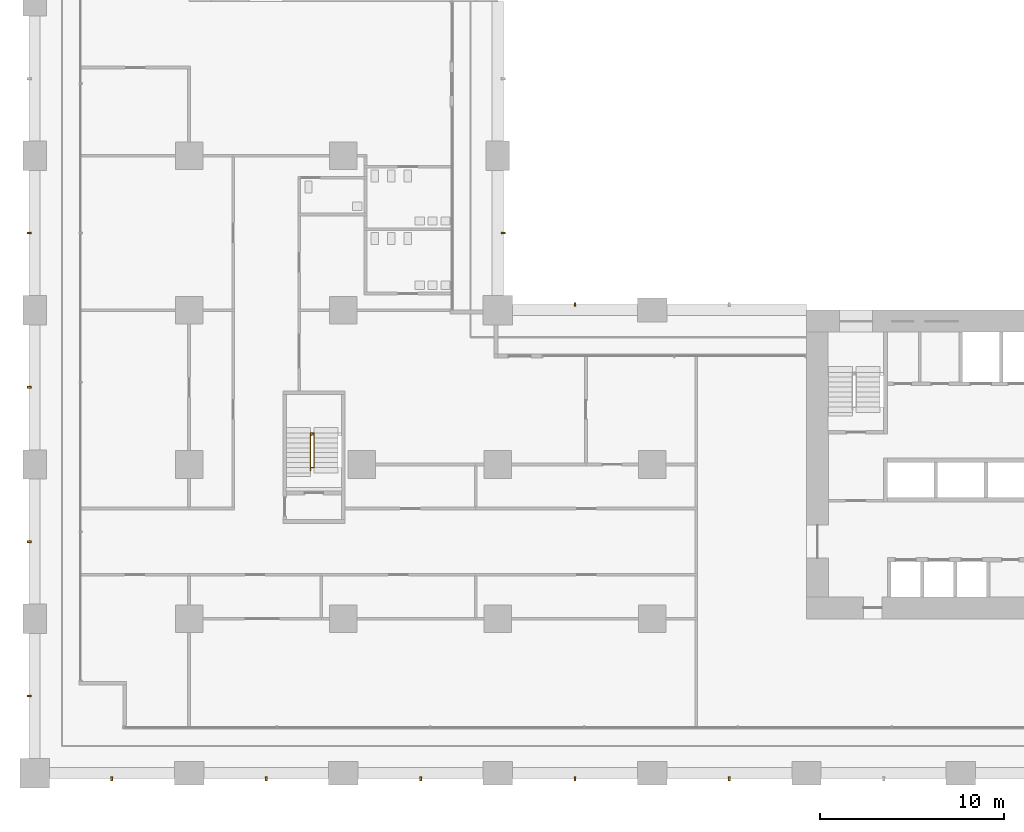
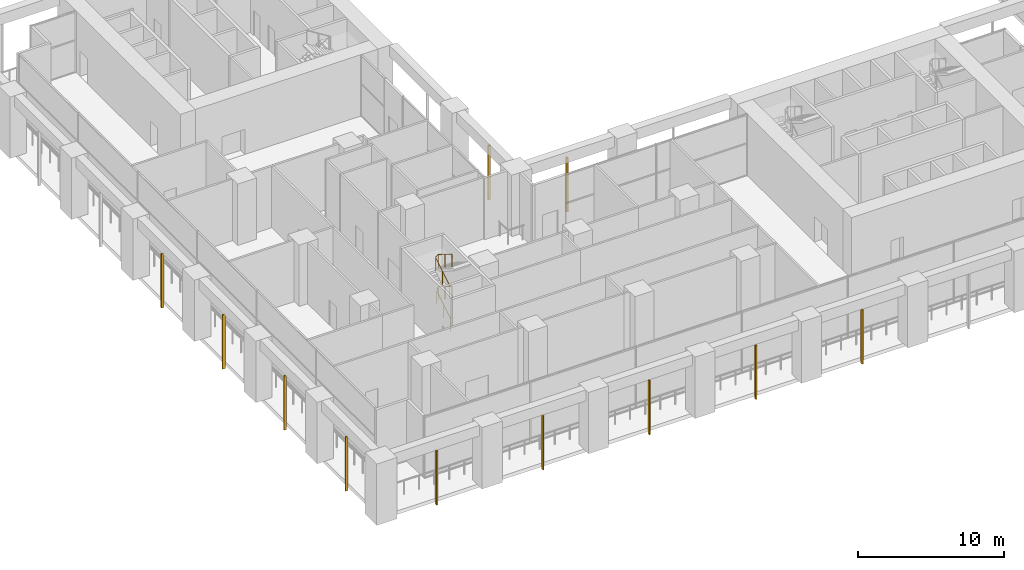
# One storey, part 24 of 32: 11 shading devices, 1 railing.
"""IFC4 building model written with IfcOpenShell, lengths in metres."""

from ifc_helpers import new_model, si_unit, direction, frame, origin, origin_2d, place, context, subcontext, project, spatial, rectangle, circle, extrude, material, material_profile, profile_set, type_object, element, save


model = new_model("IFC4")

# Units and contexts
model_context = context("Model", 3, precision=1e-05, world=origin(), true_north=direction((0.0, 1.0)))
body_context = subcontext(model_context, "Body", "Model", "MODEL_VIEW")
ifc_project = project(units=[si_unit("LENGTHUNIT", "METRE"), si_unit("AREAUNIT", "SQUARE_METRE"), si_unit("VOLUMEUNIT", "CUBIC_METRE"), si_unit("PLANEANGLEUNIT", "RADIAN"), si_unit("MASSUNIT", "GRAM", prefix="KILO")], contexts=[model_context])

# Site, building, storey
site_placement = place(None, origin())
site = spatial("IfcSite", under=ifc_project, at=site_placement, CompositionType="ELEMENT")
building_placement = place(site_placement, origin())
building = spatial("IfcBuilding", under=site, at=building_placement, Name="Vermilion Gate Residences", CompositionType="ELEMENT")
storey_placement = place(building_placement, frame((0.0, 0.0, 19.800048828125)))
storey = spatial("IfcBuildingStorey", under=building, at=storey_placement, Name="L03", CompositionType="ELEMENT", Elevation=19.800048828125)

# Railing
ifc_material_1 = material(Name="Steel S355", Category="steel")
railing_type = type_object("IfcRailingType", Name="STAIR GUARD 1100 STEEL", PredefinedType="GUARDRAIL", material=ifc_material_1)
railing_placement = place(storey_placement, frame((15.0, 16.449951171875, 0.168701171875)))
element("IfcRailing", 1, at=railing_placement, inside=storey, type_object=railing_type, Name="Stair well guard STC1-03", PredefinedType="GUARDRAIL", context=body_context, shape_type="SweptSolid", body=[
    extrude(circle(Radius=0.02392578125, at=origin_2d()), frame((0.0, 0.0, 1.076171875), z_axis=(0.0, 0.848035224522, 0.529939862598), x_axis=(-1.0, 0.0, 0.0)), (0.0, 0.0, 1.0), 2.228759765625),
    extrude(circle(Radius=0.02392578125, at=origin_2d()), frame((0.0, 1.89013671875, 2.25732421875), z_axis=(0.629479869694, 0.566455023156, 0.531868217129), x_axis=(-0.66891458545, 0.743339274741, 0.0)), (0.0, 0.0, 1.0), 0.317626953125),
    extrude(circle(Radius=0.02392578125, at=origin_2d()), frame((0.199951171875, 2.070068359375, 2.42626953125), z_axis=(0.0, -0.848035224522, 0.529939862598), x_axis=(1.0, 0.0, 0.0)), (0.0, 0.0, 1.0), 2.228759765625),
    extrude(circle(Radius=0.02392578125, at=origin_2d()), frame((0.199951171875, 0.179931640625, 3.607421875), z_axis=(-0.764305856904, 0.0, 0.644853903688), x_axis=(0.0, -1.0, 0.0)), (0.0, 0.0, 1.0), 0.26171875),
    extrude(circle(Radius=0.02392578125, at=origin_2d()), frame((0.0, 0.179931640625, 3.77587890625), z_axis=(0.0, 0.847985996966, 0.530018630757), x_axis=(-1.0, 0.0, 0.0)), (0.0, 0.0, 1.0), 2.22900390625),
    extrude(circle(Radius=0.02392578125, at=origin_2d()), frame((0.0, 2.070068359375, 4.95751953125), z_axis=(0.764305856904, 0.0, 0.644853903688), x_axis=(0.0, 1.0, 0.0)), (0.0, 0.0, 1.0), 0.26171875),
    extrude(circle(Radius=0.02392578125, at=origin_2d()), frame((0.199951171875, 2.070068359375, 5.1259765625), z_axis=(0.0, -0.848035224522, 0.529939862598), x_axis=(1.0, 0.0, 0.0)), (0.0, 0.0, 1.0), 2.228759765625),
    extrude(circle(Radius=0.02099609375, at=origin_2d()), origin(), (0.0, 0.0, 1.0), 1.052001953125),
    extrude(circle(Radius=0.02099609375, at=origin_2d()), frame((0.0, 0.945068359375, 0.590576171875)), (0.0, 0.0, 1.0), 1.052001953125),
    extrude(circle(Radius=0.02099609375, at=origin_2d()), frame((0.0, 1.89013671875, 1.18115234375)), (0.0, 0.0, 1.0), 1.052001953125),
    extrude(circle(Radius=0.02099609375, at=origin_2d()), frame((0.199951171875, 2.070068359375, 1.35009765625)), (0.0, 0.0, 1.0), 1.052001953125),
    extrude(circle(Radius=0.02099609375, at=origin_2d()), frame((0.199951171875, 1.125, 1.940673828125)), (0.0, 0.0, 1.0), 1.052001953125),
    extrude(circle(Radius=0.02099609375, at=origin_2d()), frame((0.199951171875, 0.179931640625, 2.53125)), (0.0, 0.0, 1.0), 1.052001953125),
    extrude(circle(Radius=0.02099609375, at=origin_2d()), frame((0.0, 0.179931640625, 2.699951171875)), (0.0, 0.0, 1.0), 1.052001953125),
    extrude(circle(Radius=0.02099609375, at=origin_2d()), frame((0.0, 1.125, 3.29052734375)), (0.0, 0.0, 1.0), 1.052001953125),
    extrude(circle(Radius=0.02099609375, at=origin_2d()), frame((0.0, 2.070068359375, 3.88134765625)), (0.0, 0.0, 1.0), 1.052001953125),
    extrude(circle(Radius=0.02099609375, at=origin_2d()), frame((0.199951171875, 2.070068359375, 4.050048828125)), (0.0, 0.0, 1.0), 1.052001953125),
    extrude(circle(Radius=0.02099609375, at=origin_2d()), frame((0.199951171875, 1.125, 4.640625)), (0.0, 0.0, 1.0), 1.052001953125),
    extrude(circle(Radius=0.02099609375, at=origin_2d()), frame((0.199951171875, 0.179931640625, 5.231201171875)), (0.0, 0.0, 1.0), 1.052001953125),
])

# Shading devices
ifc_material_2 = material(Name="Extruded terracotta", Category="masonry")
ifc_material_profile = material_profile(ifc_material_2, rectangle(XDim=0.199951171875, YDim=0.10009765625, at=origin_2d()), Name="BAGUETTE 100 X 200")
ifc_profile_set = profile_set([ifc_material_profile], Name="Extruded terracotta")
shading_device_type = type_object("IfcShadingDeviceType", Name="TERRACOTTA BAGUETTE 100 X 200", PredefinedType="JALOUSIE", material=ifc_profile_set)
for number, where, z_axis, x_axis, name in (
    (2, (4.199951171875, -0.300048828125, -0.300048828125), (0.0, 0.0, 1.0), (0.0, 1.0, 0.0), "BAGUETTE"),
    (3, (12.60009765625, -0.300048828125, -0.300048828125), (0.0, 0.0, 1.0), (0.0, 1.0, 0.0), "BAGUETTE"),
    (4, (21.0, -0.300048828125, -0.300048828125), (0.0, 0.0, 1.0), (0.0, 1.0, 0.0), "BAGUETTE"),
    (5, (29.39990234375, -0.300048828125, -0.300048828125), (0.0, 0.0, 1.0), (0.0, 1.0, 0.0), "BAGUETTE"),
    (6, (37.800048828125, -0.300048828125, -0.300048828125), (0.0, 0.0, 1.0), (0.0, 1.0, 0.0), "BAGUETTE"),
    (7, (29.39990234375, 25.5, -0.300048828125), (0.0, 0.0, 1.0), (0.0, -1.0, 0.0), "BAGUETTE"),
    (8, (25.5, 29.39990234375, -0.300048828125), (0.0, 0.0, 1.0), (-1.0, 0.0, 0.0), "BAGUETTE"),
    (9, (-0.300048828125, 4.199951171875, -0.300048828125), (0.0, 0.0, 1.0), (1.0, 0.0, 0.0), "BAGUETTE"),
    (10, (-0.300048828125, 12.60009765625, -0.300048828125), (0.0, 0.0, 1.0), (1.0, 0.0, 0.0), "BAGUETTE"),
    (11, (-0.300048828125, 21.0, -0.300048828125), (0.0, 0.0, 1.0), (1.0, 0.0, 0.0), "BAGUETTE"),
    (12, (-0.300048828125, 29.39990234375, -0.300048828125), (0.0, 0.0, 1.0), (1.0, 0.0, 0.0), "BAGUETTE"),
):
    element("IfcShadingDevice", number, at=place(storey_placement, frame(where, z_axis=z_axis, x_axis=x_axis)), inside=storey, type_object=shading_device_type, Name=name, PredefinedType="JALOUSIE", context=body_context, shape_type="SweptSolid", body=[
        extrude(rectangle(XDim=0.199951171875, YDim=0.10009765625, at=origin_2d()), origin(), (0.0, 0.0, 1.0), 4.52001953125),
    ])

save(model, "model.ifc")
